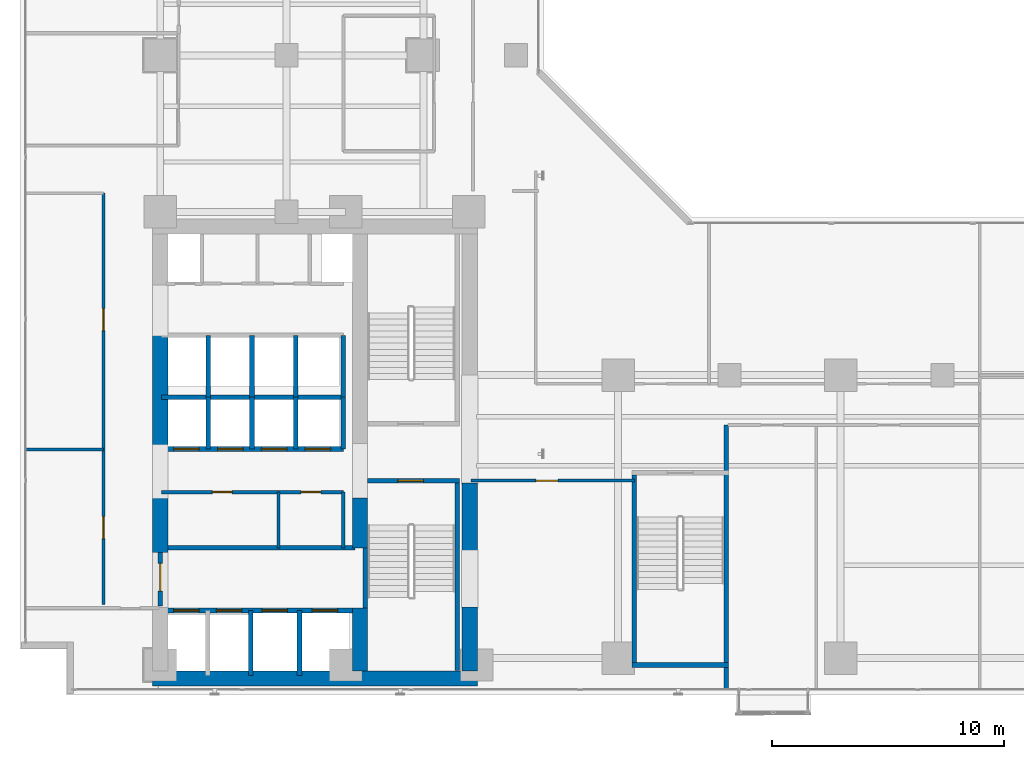
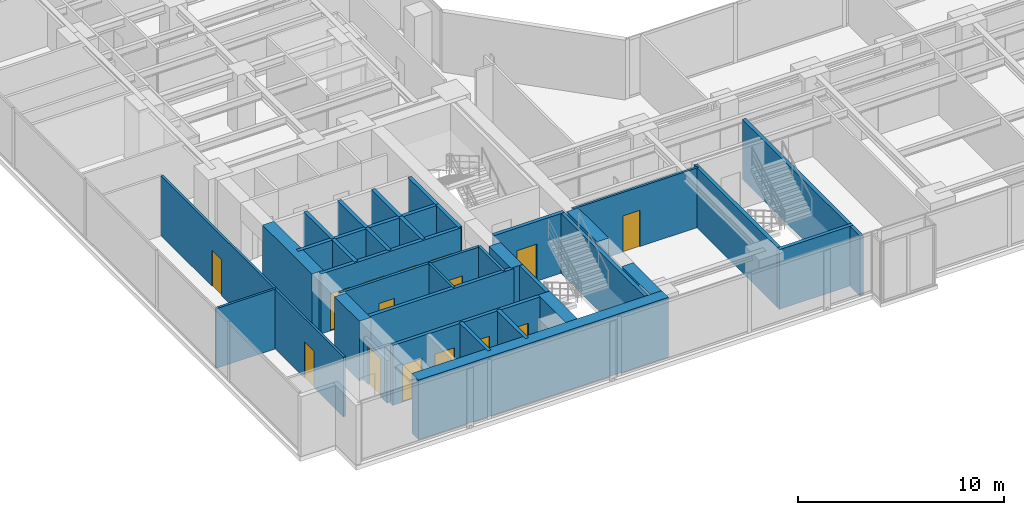
# One storey, part 21 of 29: 34 walls, 15 doors, 15 openings.
"""IFC4 building model written with IfcOpenShell, lengths in metres."""

from ifc_helpers import new_model, si_unit, direction, frame, frame_2d, origin, place, context, subcontext, project, spatial, rectangle, extrude, material, layer, layer_set, type_object, element, fill, save


model = new_model("IFC4")

# Units and contexts
model_context = context("Model", 3, precision=1e-05, world=origin(), true_north=direction((0.0, 1.0)))
body_context = subcontext(model_context, "Body", "Model", "MODEL_VIEW")
ifc_project = project(units=[si_unit("LENGTHUNIT", "METRE"), si_unit("AREAUNIT", "SQUARE_METRE"), si_unit("VOLUMEUNIT", "CUBIC_METRE"), si_unit("PLANEANGLEUNIT", "RADIAN"), si_unit("MASSUNIT", "GRAM", prefix="KILO")], contexts=[model_context])

# Site, building, storey
site_placement = place(None, origin())
site = spatial("IfcSite", under=ifc_project, at=site_placement, CompositionType="ELEMENT")
building_placement = place(site_placement, origin())
building = spatial("IfcBuilding", under=site, at=building_placement, Name="Kolvaren Waterfront Exchange", CompositionType="ELEMENT")
storey_placement = place(building_placement, frame((0.0, 0.0, 129.699951171875)))
storey = spatial("IfcBuildingStorey", under=building, at=storey_placement, Name="L33", CompositionType="ELEMENT", Elevation=129.699951171875)

# Wall, opening, door
ifc_material_1 = material(Name="Precast concrete C40/50", Category="concrete")
ifc_layer_1 = layer(ifc_material_1, 0.199951171875, Name="Precast concrete C40/50")
ifc_layer_set_1 = layer_set([ifc_layer_1], Name="Precast concrete C40/50")
wall_type_1 = type_object("IfcWallType", Name="ARC-FIRE-200", PredefinedType="PARTITIONING", material=ifc_layer_set_1)
wall_1_placement = place(storey_placement, frame((16.39990234375, 12.85009765625, 0.0), z_axis=(0.0, 0.0, 1.0), x_axis=(1.0, 0.0, 0.0)))
wall_1 = element("IfcWall", 1, at=wall_1_placement, inside=storey, type_object=wall_type_1, Name="L33 interior wall PW-L33-ST1-THROAT-S", PredefinedType="PARTITIONING", context=body_context, shape_type="SweptSolid", body=[
    extrude(rectangle(XDim=3.960205078125, YDim=0.199951171875, at=frame_2d((1.97998046875, 0.0))), origin(), (0.0, 0.0, 1.0), 3.5400390625),
])
opening_1_placement = place(wall_1_placement, frame((1.3037109375, 0.0, 0.0)))
opening_1 = element("IfcOpeningElement", 2, at=opening_1_placement, cuts=wall_1, Name="Opening FD2", PredefinedType="OPENING", context=body_context, shape_type="SweptSolid", body=[
    extrude(rectangle(XDim=1.10009765625, YDim=2.199951171875, at=frame_2d((0.550048828125, 1.10009765625))), frame((0.0, 0.10986328125, 0.0), z_axis=(0.0, -1.0, 0.0), x_axis=(1.0, 0.0, 0.0)), (0.0, 0.0, 1.0), 0.219970703125),
])
ifc_material_2 = material(Name="Pressed steel smoke-seal fire door", Category="steel")
door_type_1 = type_object("IfcDoorType", Name="ARC-FD-1100", OperationType="NOTDEFINED", PredefinedType="DOOR", material=ifc_material_2)
door_1_placement = place(opening_1_placement, frame((1.10009765625, 0.0, 0.0), z_axis=(0.0, 0.0, 1.0), x_axis=(-1.0, 0.0, 0.0)))
door_1 = element("IfcDoor", 3, at=door_1_placement, inside=storey, type_object=door_type_1, Name="L33 door DR-L33-ST1-IN (FD2)", OperationType="SINGLE_SWING_LEFT", OverallHeight=2.199951171875, OverallWidth=1.10009765625, PredefinedType="DOOR", context=body_context, shape_type="SweptSolid", body=[
    extrude(rectangle(XDim=1.10009765625, YDim=2.199951171875, at=frame_2d((0.550048828125, 1.10009765625))), frame((0.0, 0.02490234375, 0.0), z_axis=(0.0, -1.0, 0.0), x_axis=(1.0, 0.0, 0.0)), (0.0, 0.0, 1.0), 0.050048828125),
])
fill(opening_1, door_1)

# Wall
wall_2_placement = place(storey_placement, frame((7.5, 9.949951171875, 0.0), z_axis=(0.0, 0.0, 1.0), x_axis=(1.0, 0.0, 0.0)))
element("IfcWall", 4, at=wall_2_placement, inside=storey, type_object=wall_type_1, Name="L33 interior wall PW-L33-FF-N", PredefinedType="PARTITIONING", context=body_context, shape_type="SweptSolid", body=[
    extrude(rectangle(XDim=8.35009765625, YDim=0.199951171875, at=frame_2d((4.175048828125, 0.0))), origin(), (0.0, 0.0, 1.0), 3.5400390625),
])

# Wall, opening, door
wall_3_placement = place(storey_placement, frame((7.449951171875, 7.449951171875, 0.0), z_axis=(0.0, 0.0, 1.0), x_axis=(0.0, 1.0, 0.0)))
wall_3 = element("IfcWall", 5, at=wall_3_placement, inside=storey, type_object=wall_type_1, Name="L33 interior wall PW-L33-FF-W-DOOR", PredefinedType="PARTITIONING", context=body_context, shape_type="SweptSolid", body=[
    extrude(rectangle(XDim=2.300048828125, YDim=0.199951171875, at=frame_2d((1.14990234375, 0.0))), origin(), (0.0, 0.0, 1.0), 2.52001953125),
])
opening_2_placement = place(wall_3_placement, frame((0.63330078125, 0.0, 0.0)))
opening_2 = element("IfcOpeningElement", 6, at=opening_2_placement, cuts=wall_3, Name="Opening FD3", PredefinedType="OPENING", context=body_context, shape_type="SweptSolid", body=[
    extrude(rectangle(XDim=1.199951171875, YDim=2.25, at=frame_2d((0.60009765625, 1.125))), frame((0.0, 0.10986328125, 0.0), z_axis=(0.0, -1.0, 0.0), x_axis=(1.0, 0.0, 0.0)), (0.0, 0.0, 1.0), 0.219970703125),
])
ifc_material_3 = material(Name="Pressed steel fire door", Category="steel")
door_type_2 = type_object("IfcDoorType", Name="ARC-FD-1200", OperationType="NOTDEFINED", PredefinedType="DOOR", material=ifc_material_3)
door_2_placement = place(opening_2_placement, frame((1.199951171875, 0.0, 0.0), z_axis=(0.0, 0.0, 1.0), x_axis=(-1.0, 0.0, 0.0)))
door_2 = element("IfcDoor", 7, at=door_2_placement, inside=storey, type_object=door_type_2, Name="L33 door DR-L33-FF-OUT (FD3)", OperationType="SINGLE_SWING_RIGHT", OverallHeight=2.25, OverallWidth=1.199951171875, PredefinedType="DOOR", context=body_context, shape_type="SweptSolid", body=[
    extrude(rectangle(XDim=1.199951171875, YDim=2.25, at=frame_2d((0.60009765625, 1.125))), frame((0.0, 0.02490234375, 0.0), z_axis=(0.0, -1.0, 0.0), x_axis=(1.0, 0.0, 0.0)), (0.0, 0.0, 1.0), 0.050048828125),
])
fill(opening_2, door_2)

# Wall
ifc_material_4 = material(Name="Acoustic gypsum steel stud", Category="steel")
ifc_layer_2 = layer(ifc_material_4, 0.125, Name="Acoustic gypsum steel stud")
ifc_layer_set_2 = layer_set([ifc_layer_2], Name="Acoustic gypsum steel stud")
wall_type_2 = type_object("IfcWallType", Name="ARC-PART-125", PredefinedType="PARTITIONING", material=ifc_layer_set_2)
wall_4_placement = place(storey_placement, frame((12.550048828125, 9.949951171875, 0.0), z_axis=(0.0, 0.0, 1.0), x_axis=(0.0, 1.0, 0.0)))
element("IfcWall", 8, at=wall_4_placement, inside=storey, type_object=wall_type_2, Name="L33 interior wall PW-L33-REC-PL-MID", PredefinedType="PARTITIONING", context=body_context, shape_type="SweptSolid", body=[
    extrude(rectangle(XDim=2.41015625, YDim=0.125, at=frame_2d((1.205078125, 0.0))), origin(), (0.0, 0.0, 1.0), 3.5400390625),
])

# Wall, openings, doors
wall_5_placement = place(storey_placement, frame((5.0, 7.5, 0.0), z_axis=(0.0, 0.0, 1.0), x_axis=(0.0, 1.0, 0.0)))
wall_5 = element("IfcWall", 9, at=wall_5_placement, inside=storey, type_object=wall_type_2, Name="L33 interior wall PW-L33-WFLANK-E", PredefinedType="PARTITIONING", context=body_context, shape_type="SweptSolid", body=[
    extrude(rectangle(XDim=17.75, YDim=0.125, at=frame_2d((8.875, 0.0))), origin(), (0.0, 0.0, 1.0), 3.5400390625),
])
opening_3_placement = place(wall_5_placement, frame((2.85009765625, 0.0, 0.0)))
opening_3 = element("IfcOpeningElement", 10, at=opening_3_placement, cuts=wall_5, Name="Opening D02", PredefinedType="OPENING", context=body_context, shape_type="SweptSolid", body=[
    extrude(rectangle(XDim=0.949951171875, YDim=2.14990234375, at=frame_2d((0.47509765625, 1.074951171875))), frame((0.0, 0.072509765625, 0.0), z_axis=(0.0, -1.0, 0.0), x_axis=(1.0, 0.0, 0.0)), (0.0, 0.0, 1.0), 0.14501953125),
])
opening_4_placement = place(wall_5_placement, frame((11.82080078125, 0.0, 0.0)))
opening_4 = element("IfcOpeningElement", 11, at=opening_4_placement, cuts=wall_5, Name="Opening D02", PredefinedType="OPENING", context=body_context, shape_type="SweptSolid", body=[
    extrude(rectangle(XDim=0.949951171875, YDim=2.14990234375, at=frame_2d((0.47509765625, 1.074951171875))), frame((0.0, 0.072509765625, 0.0), z_axis=(0.0, -1.0, 0.0), x_axis=(1.0, 0.0, 0.0)), (0.0, 0.0, 1.0), 0.14501953125),
])
ifc_material_5 = material(Name="Oak veneer acoustic timber", Category="wood")
door_type_3 = type_object("IfcDoorType", Name="ARC-DR-950", OperationType="NOTDEFINED", PredefinedType="DOOR", material=ifc_material_5)
door_3_placement = place(opening_3_placement, origin())
door_3 = element("IfcDoor", 12, at=door_3_placement, inside=storey, type_object=door_type_3, Name="L33 door DR-L33-WFL1-D (D02)", OperationType="SINGLE_SWING_RIGHT", OverallHeight=2.14990234375, OverallWidth=0.949951171875, PredefinedType="DOOR", context=body_context, shape_type="SweptSolid", body=[
    extrude(rectangle(XDim=0.949951171875, YDim=2.14990234375, at=frame_2d((0.47509765625, 1.074951171875))), frame((0.0, 0.02490234375, 0.0), z_axis=(0.0, -1.0, 0.0), x_axis=(1.0, 0.0, 0.0)), (0.0, 0.0, 1.0), 0.050048828125),
])
fill(opening_3, door_3)
door_4_placement = place(opening_4_placement, origin())
door_4 = element("IfcDoor", 13, at=door_4_placement, inside=storey, type_object=door_type_3, Name="L33 door DR-L33-WFL2-D (D02)", OperationType="SINGLE_SWING_LEFT", OverallHeight=2.14990234375, OverallWidth=0.949951171875, PredefinedType="DOOR", context=body_context, shape_type="SweptSolid", body=[
    extrude(rectangle(XDim=0.949951171875, YDim=2.14990234375, at=frame_2d((0.47509765625, 1.074951171875))), frame((0.0, 0.02490234375, 0.0), z_axis=(0.0, -1.0, 0.0), x_axis=(1.0, 0.0, 0.0)), (0.0, 0.0, 1.0), 0.050048828125),
])
fill(opening_4, door_4)

# Wall
wall_6_placement = place(storey_placement, frame((1.639892578125, 14.199951171875, 0.0), z_axis=(0.0, 0.0, 1.0), x_axis=(1.0, 0.0, 0.0)))
element("IfcWall", 14, at=wall_6_placement, inside=storey, type_object=wall_type_2, Name="L33 interior wall PW-L33-WFLANK-MID", PredefinedType="PARTITIONING", context=body_context, shape_type="SweptSolid", body=[
    extrude(rectangle(XDim=3.360107421875, YDim=0.125, at=frame_2d((1.68017578125, 0.0))), origin(), (0.0, 0.0, 1.0), 3.5400390625),
])

# Wall, opening, door
wall_7_placement = place(storey_placement, frame((20.85009765625, 12.85009765625, 0.0), z_axis=(0.0, 0.0, 1.0), x_axis=(1.0, 0.0, 0.0)))
wall_7 = element("IfcWall", 15, at=wall_7_placement, inside=storey, type_object=wall_type_2, Name="L33 interior wall PW-L33-SWST3-N", PredefinedType="PARTITIONING", context=body_context, shape_type="SweptSolid", body=[
    extrude(rectangle(XDim=7.0498046875, YDim=0.125, at=frame_2d((3.52490234375, 0.0))), origin(), (0.0, 0.0, 1.0), 3.5400390625),
])
opening_5_placement = place(wall_7_placement, frame((2.800048828125, 0.0, 0.0)))
opening_5 = element("IfcOpeningElement", 16, at=opening_5_placement, cuts=wall_7, Name="Opening D02", PredefinedType="OPENING", context=body_context, shape_type="SweptSolid", body=[
    extrude(rectangle(XDim=0.949951171875, YDim=2.14990234375, at=frame_2d((0.47509765625, 1.074951171875))), frame((0.0, 0.072509765625, 0.0), z_axis=(0.0, -1.0, 0.0), x_axis=(1.0, 0.0, 0.0)), (0.0, 0.0, 1.0), 0.14501953125),
])
door_5_placement = place(opening_5_placement, origin())
door_5 = element("IfcDoor", 17, at=door_5_placement, inside=storey, type_object=door_type_3, Name="L33 door DR-L33-SWST3-D (D02)", OperationType="SINGLE_SWING_RIGHT", OverallHeight=2.14990234375, OverallWidth=0.949951171875, PredefinedType="DOOR", context=body_context, shape_type="SweptSolid", body=[
    extrude(rectangle(XDim=0.949951171875, YDim=2.14990234375, at=frame_2d((0.47509765625, 1.074951171875))), frame((0.0, 0.02490234375, 0.0), z_axis=(0.0, -1.0, 0.0), x_axis=(1.0, 0.0, 0.0)), (0.0, 0.0, 1.0), 0.050048828125),
])
fill(opening_5, door_5)

# Wall, openings, doors
ifc_material_6 = material(Name="Gypsum fireboard steel stud", Category="steel")
ifc_layer_3 = layer(ifc_material_6, 0.14990234375, Name="Gypsum fireboard steel stud")
ifc_layer_set_3 = layer_set([ifc_layer_3], Name="Gypsum fireboard steel stud")
wall_type_3 = type_object("IfcWallType", Name="ARC-PART-150", PredefinedType="PARTITIONING", material=ifc_layer_set_3)
wall_8_placement = place(storey_placement, frame((7.5, 12.360107421875, 0.0), z_axis=(0.0, 0.0, 1.0), x_axis=(1.0, 0.0, 0.0)))
wall_8 = element("IfcWall", 18, at=wall_8_placement, inside=storey, type_object=wall_type_3, Name="L33 interior wall PW-L33-REC-PL-N", PredefinedType="PARTITIONING", context=body_context, shape_type="SweptSolid", body=[
    extrude(rectangle(XDim=7.85009765625, YDim=0.14990234375, at=frame_2d((3.925048828125, 0.0))), origin(), (0.0, 0.0, 1.0), 3.5400390625),
])
opening_6_placement = place(wall_8_placement, frame((2.202392578125, 0.0, 0.0)))
opening_6 = element("IfcOpeningElement", 19, at=opening_6_placement, cuts=wall_8, Name="Opening D01", PredefinedType="OPENING", context=body_context, shape_type="SweptSolid", body=[
    extrude(rectangle(XDim=0.85009765625, YDim=2.14990234375, at=frame_2d((0.425048828125, 1.074951171875))), frame((0.0, 0.0849609375, 0.0), z_axis=(0.0, -1.0, 0.0), x_axis=(1.0, 0.0, 0.0)), (0.0, 0.0, 1.0), 0.169921875),
])
opening_7_placement = place(wall_8_placement, frame((6.02490234375, 0.0, 0.0)))
opening_7 = element("IfcOpeningElement", 20, at=opening_7_placement, cuts=wall_8, Name="Opening D01", PredefinedType="OPENING", context=body_context, shape_type="SweptSolid", body=[
    extrude(rectangle(XDim=0.85009765625, YDim=2.14990234375, at=frame_2d((0.425048828125, 1.074951171875))), frame((0.0, 0.0849609375, 0.0), z_axis=(0.0, -1.0, 0.0), x_axis=(1.0, 0.0, 0.0)), (0.0, 0.0, 1.0), 0.169921875),
])
ifc_material_7 = material(Name="Oak veneer timber leaf", Category="wood")
door_type_4 = type_object("IfcDoorType", Name="ARC-DR-900", OperationType="NOTDEFINED", PredefinedType="DOOR", material=ifc_material_7)
door_6_placement = place(opening_6_placement, origin())
door_6 = element("IfcDoor", 21, at=door_6_placement, inside=storey, type_object=door_type_4, Name="L33 door DR-L33-REC-PL-D1 (D01)", OperationType="SINGLE_SWING_LEFT", OverallHeight=2.14990234375, OverallWidth=0.85009765625, PredefinedType="DOOR", context=body_context, shape_type="SweptSolid", body=[
    extrude(rectangle(XDim=0.85009765625, YDim=2.14990234375, at=frame_2d((0.425048828125, 1.074951171875))), frame((0.0, 0.02490234375, 0.0), z_axis=(0.0, -1.0, 0.0), x_axis=(1.0, 0.0, 0.0)), (0.0, 0.0, 1.0), 0.050048828125),
])
fill(opening_6, door_6)
door_7_placement = place(opening_7_placement, origin())
door_7 = element("IfcDoor", 22, at=door_7_placement, inside=storey, type_object=door_type_4, Name="L33 door DR-L33-REC-PL-D2 (D01)", OperationType="SINGLE_SWING_RIGHT", OverallHeight=2.14990234375, OverallWidth=0.85009765625, PredefinedType="DOOR", context=body_context, shape_type="SweptSolid", body=[
    extrude(rectangle(XDim=0.85009765625, YDim=2.14990234375, at=frame_2d((0.425048828125, 1.074951171875))), frame((0.0, 0.02490234375, 0.0), z_axis=(0.0, -1.0, 0.0), x_axis=(1.0, 0.0, 0.0)), (0.0, 0.0, 1.0), 0.050048828125),
])
fill(opening_7, door_7)

# Walls
wall_9_placement = place(storey_placement, frame((15.35009765625, 9.949951171875, 0.0), z_axis=(0.0, 0.0, 1.0), x_axis=(0.0, 1.0, 0.0)))
element("IfcWall", 23, at=wall_9_placement, inside=storey, type_object=wall_type_3, Name="L33 interior wall PW-L33-REC-PL-E", PredefinedType="PARTITIONING", context=body_context, shape_type="SweptSolid", body=[
    extrude(rectangle(XDim=2.41015625, YDim=0.14990234375, at=frame_2d((1.205078125, 0.0))), origin(), (0.0, 0.0, 1.0), 3.5400390625),
])
ifc_material_8 = material(Name="Concrete C40/50", Category="concrete")
ifc_layer_4 = layer(ifc_material_8, 0.199951171875, Name="Concrete C40/50")
ifc_layer_set_4 = layer_set([ifc_layer_4], Name="Concrete C40/50")
wall_type_4 = type_object("IfcWallType", Name="ARC-SHAFT-200", PredefinedType="PARTITIONING", material=ifc_layer_set_4)
wall_10_placement = place(storey_placement, frame((16.300048828125, 7.360107421875, 0.0), z_axis=(0.0, 0.0, 1.0), x_axis=(0.0, 1.0, 0.0)))
element("IfcWall", 24, at=wall_10_placement, inside=storey, type_object=wall_type_4, Name="L33 structural stairwell wall PW-L33-ST1-W", PredefinedType="SHEAR", context=body_context, shape_type="SweptSolid", body=[
    extrude(rectangle(XDim=2.579833984375, YDim=0.199951171875, at=frame_2d((1.2900390625, 0.0))), origin(), (0.0, 0.0, 1.0), 3.5400390625),
])
wall_11_placement = place(storey_placement, frame((20.260009765625, 4.659912109375, 0.0), z_axis=(0.0, 0.0, 1.0), x_axis=(0.0, 1.0, 0.0)))
element("IfcWall", 25, at=wall_11_placement, inside=storey, type_object=wall_type_4, Name="L33 structural stairwell wall PW-L33-ST1-E", PredefinedType="SHEAR", context=body_context, shape_type="SweptSolid", body=[
    extrude(rectangle(XDim=8.090087890625, YDim=0.199951171875, at=frame_2d((4.044921875, 0.0))), origin(), (0.0, 0.0, 1.0), 3.5400390625),
])
wall_12_placement = place(storey_placement, frame((27.89990234375, 5.0, 0.0), z_axis=(0.0, 0.0, 1.0), x_axis=(0.0, 1.0, 0.0)))
element("IfcWall", 26, at=wall_12_placement, inside=storey, type_object=wall_type_4, Name="L33 structural stairwell wall PW-L33-ST3-W", PredefinedType="SHEAR", context=body_context, shape_type="SweptSolid", body=[
    extrude(rectangle(XDim=8.10009765625, YDim=0.199951171875, at=frame_2d((4.050048828125, 0.0))), origin(), (0.0, 0.0, 1.0), 3.5400390625),
])
wall_13_placement = place(storey_placement, frame((31.860107421875, 3.840087890625, 0.0), z_axis=(0.0, 0.0, 1.0), x_axis=(0.0, 1.0, 0.0)))
element("IfcWall", 27, at=wall_13_placement, inside=storey, type_object=wall_type_4, Name="L33 structural stairwell wall PW-L33-ST3-E", PredefinedType="SHEAR", context=body_context, shape_type="SweptSolid", body=[
    extrude(rectangle(XDim=11.409912109375, YDim=0.199951171875, at=frame_2d((5.705078125, 0.0))), origin(), (0.0, 0.0, 1.0), 3.5400390625),
])
wall_14_placement = place(storey_placement, frame((27.800048828125, 4.89990234375, 0.0), z_axis=(0.0, 0.0, 1.0), x_axis=(1.0, 0.0, 0.0)))
element("IfcWall", 28, at=wall_14_placement, inside=storey, type_object=wall_type_4, Name="L33 structural stairwell wall PW-L33-ST3-S", PredefinedType="SHEAR", context=body_context, shape_type="SweptSolid", body=[
    extrude(rectangle(XDim=4.159912109375, YDim=0.199951171875, at=frame_2d((2.080078125, 0.0))), origin(), (0.0, 0.0, 1.0), 3.5400390625),
])

# Wall, openings, doors
wall_15_placement = place(storey_placement, frame((7.5, 7.25, 0.0), z_axis=(0.0, 0.0, 1.0), x_axis=(1.0, 0.0, 0.0)))
wall_15 = element("IfcWall", 29, at=wall_15_placement, inside=storey, type_object=wall_type_4, Name="L33 interior wall PW-L33-FF-S", PredefinedType="PARTITIONING", context=body_context, shape_type="SweptSolid", body=[
    extrude(rectangle(XDim=8.35009765625, YDim=0.199951171875, at=frame_2d((4.175048828125, 0.0))), origin(), (0.0, 0.0, 1.0), 3.5400390625),
])
opening_8_placement = place(wall_15_placement, frame((0.530029296875, 0.0, 0.0)))
opening_8 = element("IfcOpeningElement", 30, at=opening_8_placement, cuts=wall_15, Name="Opening LD1", PredefinedType="OPENING", context=body_context, shape_type="SweptSolid", body=[
    extrude(rectangle(XDim=1.10009765625, YDim=2.199951171875, at=frame_2d((0.550048828125, 1.10009765625))), frame((0.0, 0.10986328125, 0.0), z_axis=(0.0, -1.0, 0.0), x_axis=(1.0, 0.0, 0.0)), (0.0, 0.0, 1.0), 0.219970703125),
])
opening_9_placement = place(wall_15_placement, frame((2.3701171875, 0.0, 0.0)))
opening_9 = element("IfcOpeningElement", 31, at=opening_9_placement, cuts=wall_15, Name="Opening LD1", PredefinedType="OPENING", context=body_context, shape_type="SweptSolid", body=[
    extrude(rectangle(XDim=1.10009765625, YDim=2.199951171875, at=frame_2d((0.550048828125, 1.10009765625))), frame((0.0, 0.10986328125, 0.0), z_axis=(0.0, -1.0, 0.0), x_axis=(1.0, 0.0, 0.0)), (0.0, 0.0, 1.0), 0.219970703125),
])
opening_10_placement = place(wall_15_placement, frame((4.330078125, 0.0, 0.0)))
opening_10 = element("IfcOpeningElement", 32, at=opening_10_placement, cuts=wall_15, Name="Opening LD1", PredefinedType="OPENING", context=body_context, shape_type="SweptSolid", body=[
    extrude(rectangle(XDim=1.10009765625, YDim=2.199951171875, at=frame_2d((0.550048828125, 1.10009765625))), frame((0.0, 0.10986328125, 0.0), z_axis=(0.0, -1.0, 0.0), x_axis=(1.0, 0.0, 0.0)), (0.0, 0.0, 1.0), 0.219970703125),
])
opening_11_placement = place(wall_15_placement, frame((6.5, 0.0, 0.0)))
opening_11 = element("IfcOpeningElement", 33, at=opening_11_placement, cuts=wall_15, Name="Opening LD1", PredefinedType="OPENING", context=body_context, shape_type="SweptSolid", body=[
    extrude(rectangle(XDim=1.10009765625, YDim=2.199951171875, at=frame_2d((0.550048828125, 1.10009765625))), frame((0.0, 0.10986328125, 0.0), z_axis=(0.0, -1.0, 0.0), x_axis=(1.0, 0.0, 0.0)), (0.0, 0.0, 1.0), 0.219970703125),
])
ifc_material_9 = material(Name="Stainless steel sliding landing door", Category="steel")
door_type_5 = type_object("IfcDoorType", Name="ARC-LD-FF", OperationType="SLIDING_TO_LEFT", PredefinedType="DOOR", material=ifc_material_9)
door_8_placement = place(opening_8_placement, origin())
door_8 = element("IfcDoor", 34, at=door_8_placement, inside=storey, type_object=door_type_5, Name="L33 door LD-L33-FFL1 (LD1)", OperationType="SLIDING_TO_LEFT", OverallHeight=2.199951171875, OverallWidth=1.10009765625, PredefinedType="DOOR", context=body_context, shape_type="SweptSolid", body=[
    extrude(rectangle(XDim=1.10009765625, YDim=2.199951171875, at=frame_2d((0.550048828125, 1.10009765625))), frame((0.0, 0.02490234375, 0.0), z_axis=(0.0, -1.0, 0.0), x_axis=(1.0, 0.0, 0.0)), (0.0, 0.0, 1.0), 0.050048828125),
])
fill(opening_8, door_8)
door_9_placement = place(opening_9_placement, origin())
door_9 = element("IfcDoor", 35, at=door_9_placement, inside=storey, type_object=door_type_5, Name="L33 door LD-L33-FFL2 (LD1)", OperationType="SLIDING_TO_LEFT", OverallHeight=2.199951171875, OverallWidth=1.10009765625, PredefinedType="DOOR", context=body_context, shape_type="SweptSolid", body=[
    extrude(rectangle(XDim=1.10009765625, YDim=2.199951171875, at=frame_2d((0.550048828125, 1.10009765625))), frame((0.0, 0.02490234375, 0.0), z_axis=(0.0, -1.0, 0.0), x_axis=(1.0, 0.0, 0.0)), (0.0, 0.0, 1.0), 0.050048828125),
])
fill(opening_9, door_9)
door_10_placement = place(opening_10_placement, origin())
door_10 = element("IfcDoor", 36, at=door_10_placement, inside=storey, type_object=door_type_5, Name="L33 door LD-L33-GL1 (LD1)", OperationType="SLIDING_TO_LEFT", OverallHeight=2.199951171875, OverallWidth=1.10009765625, PredefinedType="DOOR", context=body_context, shape_type="SweptSolid", body=[
    extrude(rectangle(XDim=1.10009765625, YDim=2.199951171875, at=frame_2d((0.550048828125, 1.10009765625))), frame((0.0, 0.02490234375, 0.0), z_axis=(0.0, -1.0, 0.0), x_axis=(1.0, 0.0, 0.0)), (0.0, 0.0, 1.0), 0.050048828125),
])
fill(opening_10, door_10)
door_11_placement = place(opening_11_placement, origin())
door_11 = element("IfcDoor", 37, at=door_11_placement, inside=storey, type_object=door_type_5, Name="L33 door LD-L33-GL2 (LD1)", OperationType="SLIDING_TO_LEFT", OverallHeight=2.199951171875, OverallWidth=1.10009765625, PredefinedType="DOOR", context=body_context, shape_type="SweptSolid", body=[
    extrude(rectangle(XDim=1.10009765625, YDim=2.199951171875, at=frame_2d((0.550048828125, 1.10009765625))), frame((0.0, 0.02490234375, 0.0), z_axis=(0.0, -1.0, 0.0), x_axis=(1.0, 0.0, 0.0)), (0.0, 0.0, 1.0), 0.050048828125),
])
fill(opening_11, door_11)

# Walls
for number, where, z_axis, x_axis, name in (
    (38, (11.360107421875, 4.449951171875, 0.0), (0.0, 0.0, 1.0), (0.0, 1.0, 0.0), "L33 interior wall PW-L33-SH1-DIV-113"),
    (39, (13.4599609375, 4.449951171875, 0.0), (0.0, 0.0, 1.0), (0.0, 1.0, 0.0), "L33 interior wall PW-L33-SH1-DIV-134"),
):
    element("IfcWall", number, at=place(storey_placement, frame(where, z_axis=z_axis, x_axis=x_axis)), inside=storey, type_object=wall_type_4, Name=name, PredefinedType="PARTITIONING", context=body_context, shape_type="SweptSolid", body=[
        extrude(rectangle(XDim=2.800048828125, YDim=0.199951171875, at=frame_2d((1.39990234375, 0.0))), origin(), (0.0, 0.0, 1.0), 3.5400390625),
    ])

# Wall, openings, doors
wall_16_placement = place(storey_placement, frame((7.5, 14.219970703125, 0.0), z_axis=(0.0, 0.0, 1.0), x_axis=(1.0, 0.0, 0.0)))
wall_16 = element("IfcWall", 40, at=wall_16_placement, inside=storey, type_object=wall_type_4, Name="L33 interior wall PW-L33-PM-S", PredefinedType="PARTITIONING", context=body_context, shape_type="SweptSolid", body=[
    extrude(rectangle(XDim=7.85009765625, YDim=0.199951171875, at=frame_2d((3.925048828125, 0.0))), origin(), (0.0, 0.0, 1.0), 3.5400390625),
])
opening_12_placement = place(wall_16_placement, frame((0.530029296875, 0.0, 0.0)))
opening_12 = element("IfcOpeningElement", 41, at=opening_12_placement, cuts=wall_16, Name="Opening LD2", PredefinedType="OPENING", context=body_context, shape_type="SweptSolid", body=[
    extrude(rectangle(XDim=1.10009765625, YDim=2.199951171875, at=frame_2d((0.550048828125, 1.10009765625))), frame((0.0, 0.10986328125, 0.0), z_axis=(0.0, -1.0, 0.0), x_axis=(1.0, 0.0, 0.0)), (0.0, 0.0, 1.0), 0.219970703125),
])
opening_13_placement = place(wall_16_placement, frame((2.419921875, 0.0, 0.0)))
opening_13 = element("IfcOpeningElement", 42, at=opening_13_placement, cuts=wall_16, Name="Opening LD2", PredefinedType="OPENING", context=body_context, shape_type="SweptSolid", body=[
    extrude(rectangle(XDim=1.10009765625, YDim=2.199951171875, at=frame_2d((0.550048828125, 1.10009765625))), frame((0.0, 0.10986328125, 0.0), z_axis=(0.0, -1.0, 0.0), x_axis=(1.0, 0.0, 0.0)), (0.0, 0.0, 1.0), 0.219970703125),
])
opening_14_placement = place(wall_16_placement, frame((4.31005859375, 0.0, 0.0)))
opening_14 = element("IfcOpeningElement", 43, at=opening_14_placement, cuts=wall_16, Name="Opening LD2", PredefinedType="OPENING", context=body_context, shape_type="SweptSolid", body=[
    extrude(rectangle(XDim=1.10009765625, YDim=2.199951171875, at=frame_2d((0.550048828125, 1.10009765625))), frame((0.0, 0.10986328125, 0.0), z_axis=(0.0, -1.0, 0.0), x_axis=(1.0, 0.0, 0.0)), (0.0, 0.0, 1.0), 0.219970703125),
])
opening_15_placement = place(wall_16_placement, frame((6.199951171875, 0.0, 0.0)))
opening_15 = element("IfcOpeningElement", 44, at=opening_15_placement, cuts=wall_16, Name="Opening LD2", PredefinedType="OPENING", context=body_context, shape_type="SweptSolid", body=[
    extrude(rectangle(XDim=1.10009765625, YDim=2.199951171875, at=frame_2d((0.550048828125, 1.10009765625))), frame((0.0, 0.10986328125, 0.0), z_axis=(0.0, -1.0, 0.0), x_axis=(1.0, 0.0, 0.0)), (0.0, 0.0, 1.0), 0.219970703125),
])
ifc_material_10 = material(Name="Brushed bronze sliding landing door", Category="aluminium")
door_type_6 = type_object("IfcDoorType", Name="ARC-LD-PAX", OperationType="SLIDING_TO_LEFT", PredefinedType="DOOR", material=ifc_material_10)
door_12_placement = place(opening_12_placement, frame((1.10009765625, 0.0, 0.0), z_axis=(0.0, 0.0, 1.0), x_axis=(-1.0, 0.0, 0.0)))
door_12 = element("IfcDoor", 45, at=door_12_placement, inside=storey, type_object=door_type_6, Name="L33 door LD-L33-PM1 (LD2)", OperationType="SLIDING_TO_LEFT", OverallHeight=2.199951171875, OverallWidth=1.10009765625, PredefinedType="DOOR", context=body_context, shape_type="SweptSolid", body=[
    extrude(rectangle(XDim=1.10009765625, YDim=2.199951171875, at=frame_2d((0.550048828125, 1.10009765625))), frame((0.0, 0.02490234375, 0.0), z_axis=(0.0, -1.0, 0.0), x_axis=(1.0, 0.0, 0.0)), (0.0, 0.0, 1.0), 0.050048828125),
])
fill(opening_12, door_12)
door_13_placement = place(opening_13_placement, frame((1.10009765625, 0.0, 0.0), z_axis=(0.0, 0.0, 1.0), x_axis=(-1.0, 0.0, 0.0)))
door_13 = element("IfcDoor", 46, at=door_13_placement, inside=storey, type_object=door_type_6, Name="L33 door LD-L33-PM2 (LD2)", OperationType="SLIDING_TO_LEFT", OverallHeight=2.199951171875, OverallWidth=1.10009765625, PredefinedType="DOOR", context=body_context, shape_type="SweptSolid", body=[
    extrude(rectangle(XDim=1.10009765625, YDim=2.199951171875, at=frame_2d((0.550048828125, 1.10009765625))), frame((0.0, 0.02490234375, 0.0), z_axis=(0.0, -1.0, 0.0), x_axis=(1.0, 0.0, 0.0)), (0.0, 0.0, 1.0), 0.050048828125),
])
fill(opening_13, door_13)
door_14_placement = place(opening_14_placement, frame((1.10009765625, 0.0, 0.0), z_axis=(0.0, 0.0, 1.0), x_axis=(-1.0, 0.0, 0.0)))
door_14 = element("IfcDoor", 47, at=door_14_placement, inside=storey, type_object=door_type_6, Name="L33 door LD-L33-PM3 (LD2)", OperationType="SLIDING_TO_LEFT", OverallHeight=2.199951171875, OverallWidth=1.10009765625, PredefinedType="DOOR", context=body_context, shape_type="SweptSolid", body=[
    extrude(rectangle(XDim=1.10009765625, YDim=2.199951171875, at=frame_2d((0.550048828125, 1.10009765625))), frame((0.0, 0.02490234375, 0.0), z_axis=(0.0, -1.0, 0.0), x_axis=(1.0, 0.0, 0.0)), (0.0, 0.0, 1.0), 0.050048828125),
])
fill(opening_14, door_14)
door_15_placement = place(opening_15_placement, frame((1.10009765625, 0.0, 0.0), z_axis=(0.0, 0.0, 1.0), x_axis=(-1.0, 0.0, 0.0)))
door_15 = element("IfcDoor", 48, at=door_15_placement, inside=storey, type_object=door_type_6, Name="L33 door LD-L33-PM4 (LD2)", OperationType="SLIDING_TO_LEFT", OverallHeight=2.199951171875, OverallWidth=1.10009765625, PredefinedType="DOOR", context=body_context, shape_type="SweptSolid", body=[
    extrude(rectangle(XDim=1.10009765625, YDim=2.199951171875, at=frame_2d((0.550048828125, 1.10009765625))), frame((0.0, 0.02490234375, 0.0), z_axis=(0.0, -1.0, 0.0), x_axis=(1.0, 0.0, 0.0)), (0.0, 0.0, 1.0), 0.050048828125),
])
fill(opening_15, door_15)

# Walls
wall_17_placement = place(storey_placement, frame((7.5, 16.449951171875, 0.0), z_axis=(0.0, 0.0, 1.0), x_axis=(1.0, 0.0, 0.0)))
element("IfcWall", 49, at=wall_17_placement, inside=storey, type_object=wall_type_4, Name="L33 interior wall PW-L33-PM-N", PredefinedType="PARTITIONING", context=body_context, shape_type="SweptSolid", body=[
    extrude(rectangle(XDim=7.85009765625, YDim=0.199951171875, at=frame_2d((3.925048828125, 0.0))), origin(), (0.0, 0.0, 1.0), 3.5400390625),
])
for number, where, z_axis, x_axis, name in (
    (50, (15.35009765625, 14.219970703125, 0.0), (0.0, 0.0, 1.0), (0.0, 1.0, 0.0), "L33 interior wall PW-L33-PM-E"),
    (51, (9.52001953125, 14.219970703125, 0.0), (0.0, 0.0, 1.0), (0.0, 1.0, 0.0), "L33 interior wall PW-L33-SH3-DIV-95"),
    (52, (11.409912109375, 14.219970703125, 0.0), (0.0, 0.0, 1.0), (0.0, 1.0, 0.0), "L33 interior wall PW-L33-SH3-DIV-114"),
    (53, (13.300048828125, 14.219970703125, 0.0), (0.0, 0.0, 1.0), (0.0, 1.0, 0.0), "L33 interior wall PW-L33-SH3-DIV-133"),
):
    element("IfcWall", number, at=place(storey_placement, frame(where, z_axis=z_axis, x_axis=x_axis)), inside=storey, type_object=wall_type_4, Name=name, PredefinedType="PARTITIONING", context=body_context, shape_type="SweptSolid", body=[
        extrude(rectangle(XDim=2.22998046875, YDim=0.199951171875, at=frame_2d((1.114990234375, 0.0))), origin(), (0.0, 0.0, 1.0), 3.5400390625),
    ])
for number, where, z_axis, x_axis, name in (
    (54, (15.35009765625, 16.449951171875, 0.0), (0.0, 0.0, 1.0), (0.0, 1.0, 0.0), "L33 interior wall PW-L33-PH-E"),
    (55, (9.52001953125, 16.449951171875, 0.0), (0.0, 0.0, 1.0), (0.0, 1.0, 0.0), "L33 interior wall PW-L33-SH4-DIV-95"),
    (56, (11.409912109375, 16.449951171875, 0.0), (0.0, 0.0, 1.0), (0.0, 1.0, 0.0), "L33 interior wall PW-L33-SH4-DIV-114"),
    (57, (13.300048828125, 16.449951171875, 0.0), (0.0, 0.0, 1.0), (0.0, 1.0, 0.0), "L33 interior wall PW-L33-SH4-DIV-133"),
):
    element("IfcWall", number, at=place(storey_placement, frame(where, z_axis=z_axis, x_axis=x_axis)), inside=storey, type_object=wall_type_4, Name=name, PredefinedType="PARTITIONING", context=body_context, shape_type="SweptSolid", body=[
        extrude(rectangle(XDim=2.670166015625, YDim=0.199951171875, at=frame_2d((1.3349609375, 0.0))), origin(), (0.0, 0.0, 1.0), 3.5400390625),
    ])
ifc_material_11 = material(Name="Concrete C60/75", Category="concrete")
ifc_layer_5 = layer(ifc_material_11, 0.64990234375, Name="Concrete C60/75")
ifc_layer_set_5 = layer_set([ifc_layer_5], Name="Concrete C60/75")
wall_type_5 = type_object("IfcWallType", Name="STR-CWALL-650", PredefinedType="SHEAR", material=ifc_layer_set_5)
wall_18_placement = place(storey_placement, frame((7.125, 4.324951171875, 0.0), z_axis=(0.0, 0.0, 1.0), x_axis=(1.0, 0.0, 0.0)))
element("IfcWall", 58, at=wall_18_placement, inside=storey, type_object=wall_type_5, Name="L33 rear-core shear wall S", PredefinedType="SHEAR", context=body_context, shape_type="SweptSolid", body=[
    extrude(rectangle(XDim=14.0, YDim=0.64990234375, at=frame_2d((7.0, 0.0))), origin(), (0.0, 0.0, 1.0), 3.5400390625),
])
wall_19_placement = place(storey_placement, frame((7.449951171875, 9.75, 0.0), z_axis=(0.0, 0.0, 1.0), x_axis=(0.0, 1.0, 0.0)))
element("IfcWall", 59, at=wall_19_placement, inside=storey, type_object=wall_type_5, Name="L33 rear-core shear wall W2A", PredefinedType="SHEAR", context=body_context, shape_type="SweptSolid", body=[
    extrude(rectangle(XDim=2.39990234375, YDim=0.64990234375, at=frame_2d((1.199951171875, 0.0))), origin(), (0.0, 0.0, 1.0), 3.5400390625),
])
wall_20_placement = place(storey_placement, frame((7.449951171875, 14.35009765625, 0.0), z_axis=(0.0, 0.0, 1.0), x_axis=(0.0, 1.0, 0.0)))
element("IfcWall", 60, at=wall_20_placement, inside=storey, type_object=wall_type_5, Name="L33 rear-core shear wall W2B", PredefinedType="SHEAR", context=body_context, shape_type="SweptSolid", body=[
    extrude(rectangle(XDim=4.809814453125, YDim=0.64990234375, at=frame_2d((2.40478515625, 0.0))), origin(), (0.0, 0.0, 1.0), 3.5400390625),
])
wall_21_placement = place(storey_placement, frame((20.800048828125, 4.64990234375, 0.0), z_axis=(0.0, 0.0, 1.0), x_axis=(0.0, 1.0, 0.0)))
element("IfcWall", 61, at=wall_21_placement, inside=storey, type_object=wall_type_5, Name="L33 rear-core shear wall E1", PredefinedType="SHEAR", context=body_context, shape_type="SweptSolid", body=[
    extrude(rectangle(XDim=2.75, YDim=0.64990234375, at=frame_2d((1.375, 0.0))), origin(), (0.0, 0.0, 1.0), 3.5400390625),
])
wall_22_placement = place(storey_placement, frame((20.800048828125, 9.800048828125, 0.0), z_axis=(0.0, 0.0, 1.0), x_axis=(0.0, 1.0, 0.0)))
element("IfcWall", 62, at=wall_22_placement, inside=storey, type_object=wall_type_5, Name="L33 rear-core shear wall E2", PredefinedType="SHEAR", context=body_context, shape_type="SweptSolid", body=[
    extrude(rectangle(XDim=2.949951171875, YDim=0.64990234375, at=frame_2d((1.47509765625, 0.0))), origin(), (0.0, 0.0, 1.0), 3.5400390625),
])
wall_23_placement = place(storey_placement, frame((16.074951171875, 4.64990234375, 0.0), z_axis=(0.0, 0.0, 1.0), x_axis=(0.0, 1.0, 0.0)))
element("IfcWall", 63, at=wall_23_placement, inside=storey, type_object=wall_type_5, Name="L33 rear-core shear wall M1", PredefinedType="SHEAR", context=body_context, shape_type="SweptSolid", body=[
    extrude(rectangle(XDim=2.7001953125, YDim=0.64990234375, at=frame_2d((1.35009765625, 0.0))), origin(), (0.0, 0.0, 1.0), 3.5400390625),
])
wall_24_placement = place(storey_placement, frame((16.074951171875, 9.949951171875, 0.0), z_axis=(0.0, 0.0, 1.0), x_axis=(0.0, 1.0, 0.0)))
element("IfcWall", 64, at=wall_24_placement, inside=storey, type_object=wall_type_5, Name="L33 rear-core shear wall M2", PredefinedType="SHEAR", context=body_context, shape_type="SweptSolid", body=[
    extrude(rectangle(XDim=2.150146484375, YDim=0.64990234375, at=frame_2d((1.0751953125, 0.0))), origin(), (0.0, 0.0, 1.0), 3.5400390625),
])

save(model, "model.ifc")
